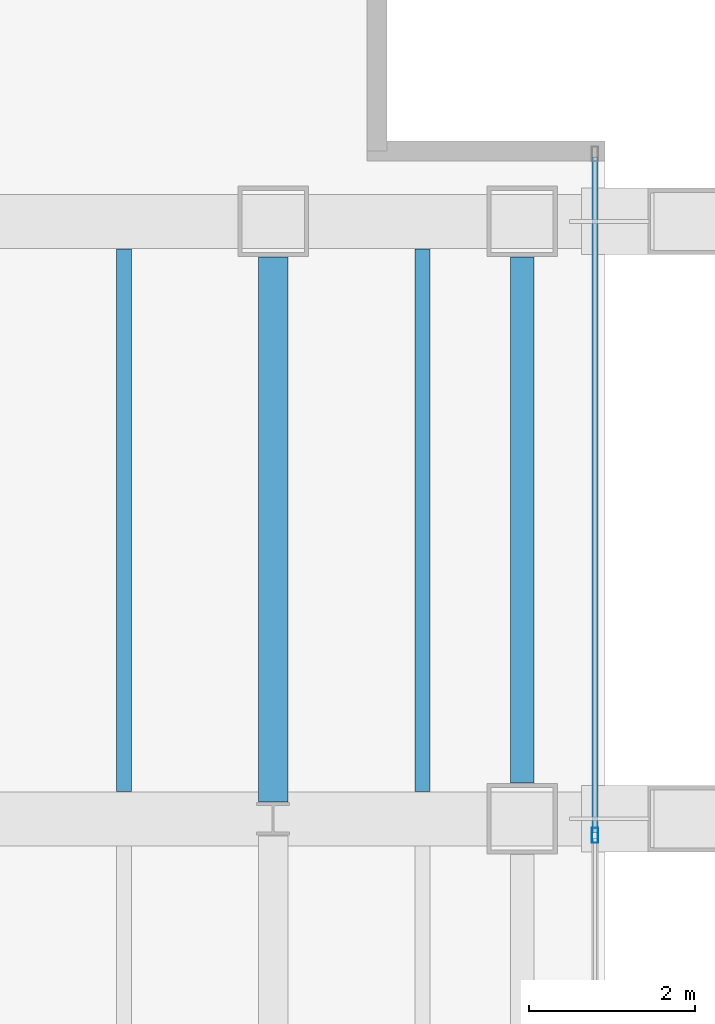
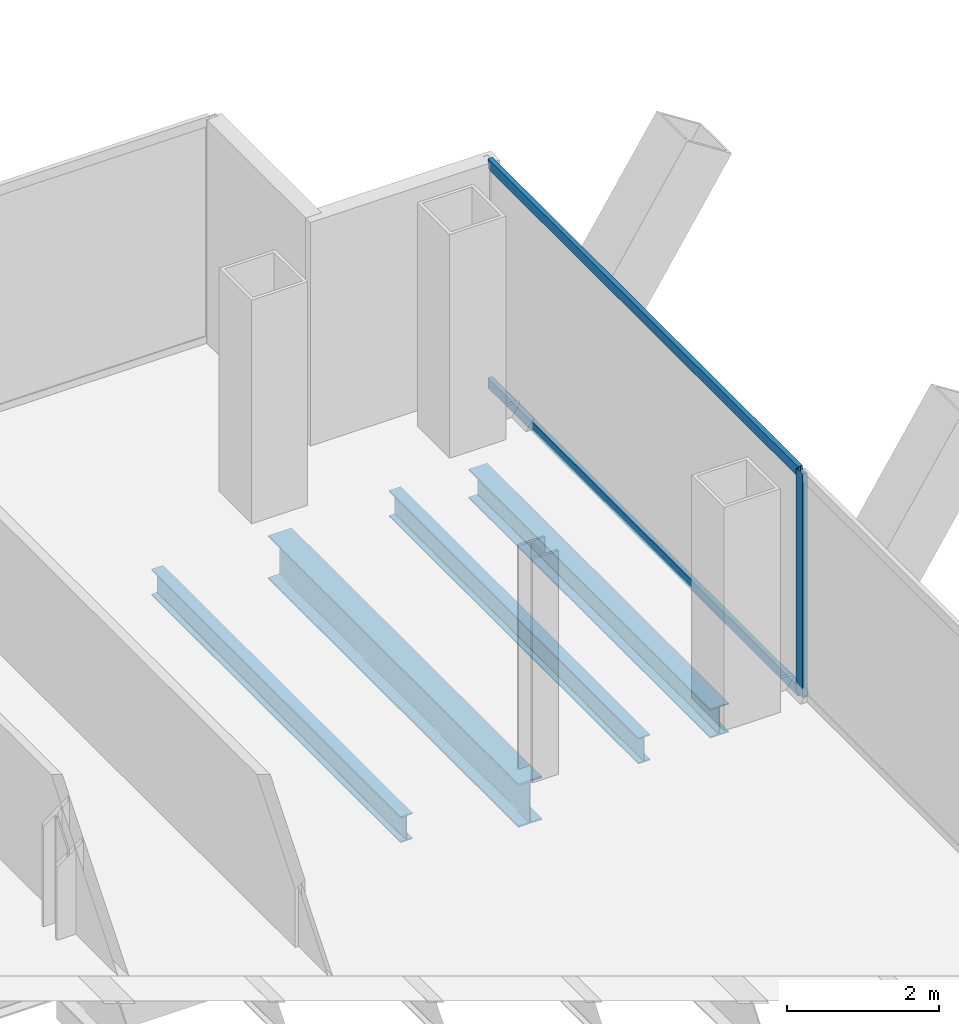
# One storey, part 13 of 23: 4 beams, 3 members, 1 element without a shape of its own.
"""IFC4 building model written with IfcOpenShell, lengths in metres."""

from ifc_helpers import new_model, si_unit, direction, frame, origin, origin_2d, place, context, subcontext, project, spatial, hollow_rectangle, i_section, extrude, material, material_profile, profile_set, type_object, element, aggregate, save


model = new_model("IFC4")

# Units and contexts
model_context = context("Model", 3, precision=1e-05, world=origin(), true_north=direction((0.0, 1.0)))
body_context = subcontext(model_context, "Body", "Model", "MODEL_VIEW")
ifc_project = project(units=[si_unit("LENGTHUNIT", "METRE"), si_unit("AREAUNIT", "SQUARE_METRE"), si_unit("VOLUMEUNIT", "CUBIC_METRE"), si_unit("PLANEANGLEUNIT", "RADIAN"), si_unit("MASSUNIT", "GRAM", prefix="KILO")], contexts=[model_context])

# Site, building, storey
site_placement = place(None, origin())
site = spatial("IfcSite", under=ifc_project, at=site_placement, CompositionType="ELEMENT")
building_placement = place(site_placement, origin())
building = spatial("IfcBuilding", under=site, at=building_placement, Name="Cobrela Telecom Tower", CompositionType="ELEMENT")
storey_placement = place(building_placement, frame((0.0, 0.0, 156.10009765625)))
storey = spatial("IfcBuildingStorey", under=building, at=storey_placement, Name="L39", CompositionType="ELEMENT", Elevation=156.10009765625)

# Beams
ifc_material_1 = material(Name="Steel ASTM A992 Grade 50", Category="steel")
ifc_material_profile_1 = material_profile(ifc_material_1, i_section(OverallWidth=0.35595703125, OverallDepth=0.696044921875, WebThickness=0.015380859375, FlangeThickness=0.024658203125, FilletRadius=0.01806640625, at=origin_2d()), Name="W27X146")
ifc_profile_set_1 = profile_set([ifc_material_profile_1], Name="Steel ASTM A992 Grade 50")
beam_type_1 = type_object("IfcBeamType", Name="BM-GIRD-05", PredefinedType="USERDEFINED", material=ifc_profile_set_1)
beam_1_placement = place(storey_placement, frame((43.199951171875, 14.6044921875, -0.6181640625), z_axis=(0.0, 1.0, 0.0), x_axis=(-1.0, 0.0, 0.0)))
element("IfcBeam", 1, at=beam_1_placement, inside=storey, type_object=beam_type_1, Name="L39 Primary Girder Y50", ObjectType="GIRDER", PredefinedType="USERDEFINED", context=body_context, shape_type="SweptSolid", body=[
    extrude(i_section(OverallWidth=0.35595703125, OverallDepth=0.696044921875, WebThickness=0.015380859375, FlangeThickness=0.024658203125, FilletRadius=0.01806640625, at=origin_2d()), origin(), (0.0, 0.0, 1.0), 6.5654296875),
])
ifc_material_profile_2 = material_profile(ifc_material_1, i_section(OverallWidth=0.179931640625, OverallDepth=0.4169921875, WebThickness=0.010986328125, FlangeThickness=0.01806640625, FilletRadius=0.011962890625, at=origin_2d()), Name="W16X57")
ifc_profile_set_2 = profile_set([ifc_material_profile_2], Name="Steel ASTM A992 Grade 50")
beam_type_2 = type_object("IfcBeamType", Name="BM-JOIST-04", PredefinedType="JOIST", material=ifc_profile_set_2)
for number, where, z_axis, x_axis, name in (
    (2, (41.39990234375, 14.72998046875, -0.478515625), (0.0, 1.0, 0.0), (-1.0, 0.0, 0.0), "L39 Secondary Composite Floor Beam J38"),
    (3, (45.0, 14.72998046875, -0.478515625), (0.0, 1.0, 0.0), (-1.0, 0.0, 0.0), "L39 Secondary Composite Floor Beam J40"),
):
    element("IfcBeam", number, at=place(storey_placement, frame(where, z_axis=z_axis, x_axis=x_axis)), inside=storey, type_object=beam_type_2, Name=name, PredefinedType="JOIST", context=body_context, shape_type="SweptSolid", body=[
        extrude(i_section(OverallWidth=0.179931640625, OverallDepth=0.4169921875, WebThickness=0.010986328125, FlangeThickness=0.01806640625, FilletRadius=0.011962890625, at=origin_2d()), origin(), (0.0, 0.0, 1.0), 6.5400390625),
    ])
ifc_material_profile_3 = material_profile(ifc_material_1, i_section(OverallWidth=0.281982421875, OverallDepth=0.467041015625, WebThickness=0.01220703125, FlangeThickness=0.01953125, FilletRadius=0.012939453125, at=origin_2d()), Name="W18X86")
ifc_profile_set_3 = profile_set([ifc_material_profile_3], Name="Steel ASTM A992 Grade 50")
beam_type_3 = type_object("IfcBeamType", Name="BM-SPAND-04", PredefinedType="SPANDREL", material=ifc_profile_set_3)
beam_2_placement = place(storey_placement, frame((46.199951171875, 14.830078125, -0.503662109375), z_axis=(0.0, 1.0, 0.0), x_axis=(-1.0, 0.0, 0.0)))
element("IfcBeam", 4, at=beam_2_placement, inside=storey, type_object=beam_type_3, Name="L39 Perimeter Spandrel Y52", PredefinedType="SPANDREL", context=body_context, shape_type="SweptSolid", body=[
    extrude(i_section(OverallWidth=0.281982421875, OverallDepth=0.467041015625, WebThickness=0.01220703125, FlangeThickness=0.01953125, FilletRadius=0.012939453125, at=origin_2d()), origin(), (0.0, 0.0, 1.0), 6.33984375),
])

# Curtain wall, members
ifc_material_2 = material(Name="Anodized Bronze Aluminium 6063-T6", Category="aluminium")
curtain_wall_type = type_object("IfcCurtainWallType", Name="CW-SYS-TEL", PredefinedType="USERDEFINED", material=ifc_material_2)
curtain_wall_placement = place(storey_placement, origin())
curtain_wall = element("IfcCurtainWall", 5, at=curtain_wall_placement, inside=storey, type_object=curtain_wall_type, Name="L39 Unitised Bronze Curtain Wall 14", ObjectType="UNITISED CURTAIN WALL", PredefinedType="USERDEFINED")
ifc_material_profile_4 = material_profile(ifc_material_2, hollow_rectangle(XDim=0.074951171875, YDim=0.179931640625, WallThickness=0.00390625, at=origin_2d()), Name="ALU 75x180x4")
ifc_profile_set_4 = profile_set([ifc_material_profile_4], Name="Anodized Bronze Aluminium 6063-T6")
member_type_1 = type_object("IfcMemberType", Name="CW-SYS-TEL-MUL", PredefinedType="MULLION", material=ifc_profile_set_4)
member_1_placement = place(storey_placement, frame((47.080078125, 14.199951171875, 0.0), z_axis=(0.0, 0.0, 1.0), x_axis=(1.0, 0.0, 0.0)))
member_1 = element("IfcMember", 6, at=member_1_placement, type_object=member_type_1, Name="CW-TEL mullion 2", PredefinedType="MULLION", context=body_context, shape_type="SweptSolid", body=[
    extrude(hollow_rectangle(XDim=0.074951171875, YDim=0.179931640625, WallThickness=0.00390625, at=origin_2d()), origin(), (0.0, 0.0, 1.0), 3.579833984375),
])
ifc_material_profile_5 = material_profile(ifc_material_2, hollow_rectangle(XDim=0.070068359375, YDim=0.159912109375, WallThickness=0.00390625, at=origin_2d()), Name="ALU 70x160x4")
ifc_profile_set_5 = profile_set([ifc_material_profile_5], Name="Anodized Bronze Aluminium 6063-T6")
member_type_2 = type_object("IfcMemberType", Name="CW-SYS-TEL-TRN", PredefinedType="USERDEFINED", material=ifc_profile_set_5)
member_2_placement = place(storey_placement, frame((47.080078125, 22.375, 0.034912109375), z_axis=(0.0, -1.0, 0.0), x_axis=(1.0, 0.0, 0.0)))
member_2 = element("IfcMember", 7, at=member_2_placement, type_object=member_type_2, Name="CW-TEL transom 1.1", ObjectType="TRANSOM", PredefinedType="USERDEFINED", context=body_context, shape_type="SweptSolid", body=[
    extrude(hollow_rectangle(XDim=0.070068359375, YDim=0.159912109375, WallThickness=0.00390625, at=origin_2d()), origin(), (0.0, 0.0, 1.0), 8.137451171875),
])
member_3_placement = place(storey_placement, frame((47.080078125, 22.375, 3.544921875), z_axis=(0.0, -1.0, 0.0), x_axis=(1.0, 0.0, 0.0)))
member_3 = element("IfcMember", 8, at=member_3_placement, type_object=member_type_2, Name="CW-TEL transom 1.2", ObjectType="TRANSOM", PredefinedType="USERDEFINED", context=body_context, shape_type="SweptSolid", body=[
    extrude(hollow_rectangle(XDim=0.070068359375, YDim=0.159912109375, WallThickness=0.00390625, at=origin_2d()), origin(), (0.0, 0.0, 1.0), 8.137451171875),
])
aggregate(curtain_wall, [member_1, member_2, member_3])

save(model, "model.ifc")
